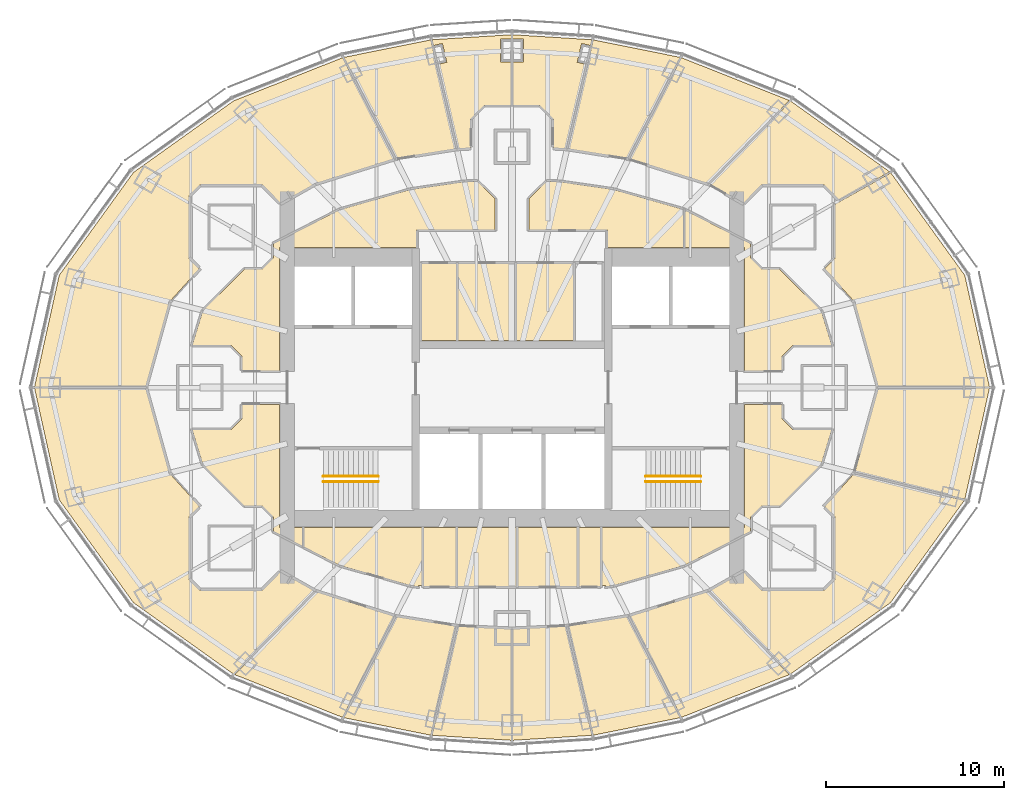
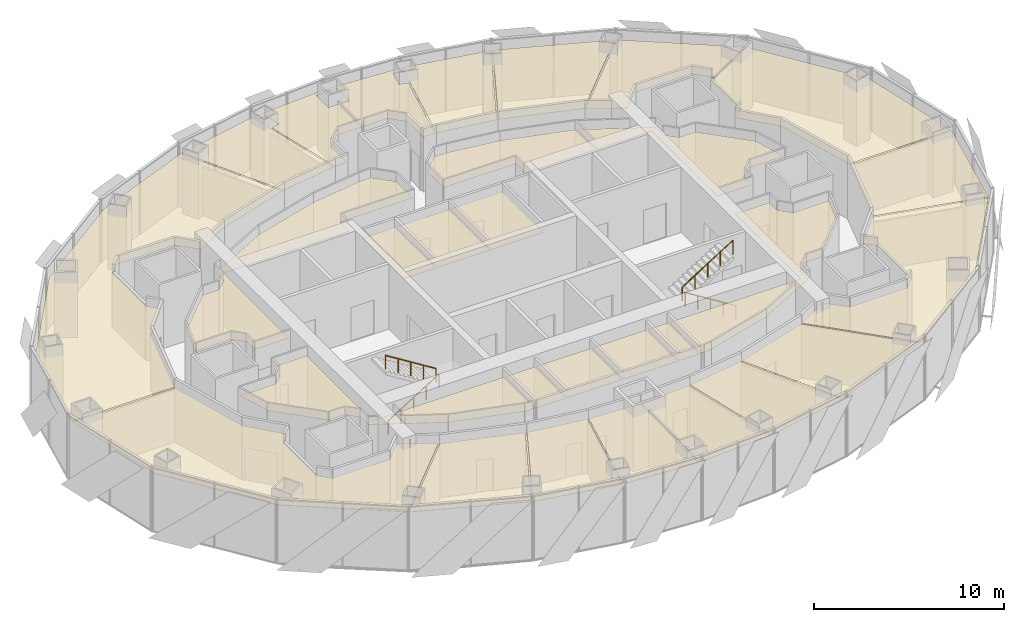
# One storey, part 18 of 18: 30 coverings, 4 railings.
"""IFC4 building model written with IfcOpenShell, lengths in metres."""

from ifc_helpers import new_model, si_unit, direction, frame, origin, origin_2d, place, context, subcontext, project, spatial, polyline, circle, outline, extrude, material, layer, layer_set, type_object, element, save


model = new_model("IFC4")

# Units and contexts
model_context = context("Model", 3, precision=1e-05, world=origin(), true_north=direction((0.0, 1.0)))
body_context = subcontext(model_context, "Body", "Model", "MODEL_VIEW")
ifc_project = project(units=[si_unit("LENGTHUNIT", "METRE"), si_unit("AREAUNIT", "SQUARE_METRE"), si_unit("VOLUMEUNIT", "CUBIC_METRE"), si_unit("PLANEANGLEUNIT", "RADIAN"), si_unit("MASSUNIT", "GRAM", prefix="KILO")], contexts=[model_context])

# Site, building, storey
site_placement = place(None, origin())
site = spatial("IfcSite", under=ifc_project, at=site_placement, CompositionType="ELEMENT")
building_placement = place(site_placement, origin())
building = spatial("IfcBuilding", under=site, at=building_placement, Name="Lantaw Convention Tower", CompositionType="ELEMENT")
storey_placement = place(building_placement, frame((0.0, 0.0, 241.0)))
storey = spatial("IfcBuildingStorey", under=building, at=storey_placement, Name="L56", CompositionType="ELEMENT", Elevation=241.0)

# Railings
ifc_material_1 = material(Name="Stainless steel", Category="steel")
railing_type = type_object("IfcRailingType", Name="Stair handrail", PredefinedType="HANDRAIL", material=ifc_material_1)
railing_1_placement = place(storey_placement, frame((-10.580078125, -5.280029296875, 0.175048828125)))
element("IfcRailing", 1, at=railing_1_placement, inside=storey, type_object=railing_type, Name="Stair handrail S1", PredefinedType="HANDRAIL", context=body_context, shape_type="SweptSolid", body=[
    extrude(circle(Radius=0.02392578125, at=origin_2d()), frame((0.0, 0.0, 0.8759765625), z_axis=(0.847998304005, 0.0, 0.529998940003), x_axis=(0.0, 1.0, 0.0)), (0.0, 0.0, 1.0), 3.632080078125),
    extrude(circle(Radius=0.02099609375, at=origin_2d()), origin(), (0.0, 0.0, 1.0), 0.851806640625),
    extrude(circle(Radius=0.02099609375, at=origin_2d()), frame((0.77001953125, 0.0, 0.481201171875)), (0.0, 0.0, 1.0), 0.851806640625),
    extrude(circle(Radius=0.02099609375, at=origin_2d()), frame((1.5400390625, 0.0, 0.96240234375)), (0.0, 0.0, 1.0), 0.851806640625),
    extrude(circle(Radius=0.02099609375, at=origin_2d()), frame((2.31005859375, 0.0, 1.44384765625)), (0.0, 0.0, 1.0), 0.851806640625),
    extrude(circle(Radius=0.02099609375, at=origin_2d()), frame((3.080078125, 0.0, 1.925048828125)), (0.0, 0.0, 1.0), 0.851806640625),
])
for number, where, name in (
    (2, (-7.5, -4.97998046875, 2.27490234375), "Stair handrail S1"),
    (3, (10.580078125, -5.280029296875, 0.175048828125), "Stair handrail S2"),
):
    element("IfcRailing", number, at=place(storey_placement, frame(where)), inside=storey, type_object=railing_type, Name=name, PredefinedType="HANDRAIL", context=body_context, shape_type="SweptSolid", body=[
        extrude(circle(Radius=0.02392578125, at=origin_2d()), frame((0.0, 0.0, 0.8759765625), z_axis=(-0.847998304005, 0.0, 0.529998940003), x_axis=(0.0, -1.0, 0.0)), (0.0, 0.0, 1.0), 3.632080078125),
        extrude(circle(Radius=0.02099609375, at=origin_2d()), origin(), (0.0, 0.0, 1.0), 0.851806640625),
        extrude(circle(Radius=0.02099609375, at=origin_2d()), frame((-0.77001953125, 0.0, 0.481201171875)), (0.0, 0.0, 1.0), 0.851806640625),
        extrude(circle(Radius=0.02099609375, at=origin_2d()), frame((-1.5400390625, 0.0, 0.96240234375)), (0.0, 0.0, 1.0), 0.851806640625),
        extrude(circle(Radius=0.02099609375, at=origin_2d()), frame((-2.31005859375, 0.0, 1.44384765625)), (0.0, 0.0, 1.0), 0.851806640625),
        extrude(circle(Radius=0.02099609375, at=origin_2d()), frame((-3.080078125, 0.0, 1.925048828125)), (0.0, 0.0, 1.0), 0.851806640625),
    ])
railing_2_placement = place(storey_placement, frame((7.5, -4.97998046875, 2.27490234375)))
element("IfcRailing", 4, at=railing_2_placement, inside=storey, type_object=railing_type, Name="Stair handrail S2", PredefinedType="HANDRAIL", context=body_context, shape_type="SweptSolid", body=[
    extrude(circle(Radius=0.02392578125, at=origin_2d()), frame((0.0, 0.0, 0.8759765625), z_axis=(0.847998304005, 0.0, 0.529998940003), x_axis=(0.0, 1.0, 0.0)), (0.0, 0.0, 1.0), 3.632080078125),
    extrude(circle(Radius=0.02099609375, at=origin_2d()), origin(), (0.0, 0.0, 1.0), 0.851806640625),
    extrude(circle(Radius=0.02099609375, at=origin_2d()), frame((0.77001953125, 0.0, 0.481201171875)), (0.0, 0.0, 1.0), 0.851806640625),
    extrude(circle(Radius=0.02099609375, at=origin_2d()), frame((1.5400390625, 0.0, 0.96240234375)), (0.0, 0.0, 1.0), 0.851806640625),
    extrude(circle(Radius=0.02099609375, at=origin_2d()), frame((2.31005859375, 0.0, 1.44384765625)), (0.0, 0.0, 1.0), 0.851806640625),
    extrude(circle(Radius=0.02099609375, at=origin_2d()), frame((3.080078125, 0.0, 1.925048828125)), (0.0, 0.0, 1.0), 0.851806640625),
])

# Coverings
ifc_material_2 = material(Name="Gypsum board on steel suspension grid", Category="steel")
ifc_layer = layer(ifc_material_2, 0.02001953125)
ifc_layer_set = layer_set([ifc_layer], Name="Suspended ceiling")
covering_type = type_object("IfcCoveringType", Name="Suspended ceiling", PredefinedType="CEILING", material=ifc_layer_set)
covering_1_placement = place(storey_placement, frame((0.0, 0.0, 3.449951171875)))
element("IfcCovering", 5, at=covering_1_placement, inside=storey, type_object=covering_type, Name="Accessible WC ceiling", PredefinedType="CEILING", context=body_context, shape_type="SweptSolid", body=[
    extrude(outline(polyline([(-5.080078125, 2.639892578125), (-3.112060546875, 2.639892578125), (-3.112060546875, 6.9599609375), (-5.080078125, 6.9599609375), (-5.080078125, 2.639892578125)])), origin(), (0.0, 0.0, 1.0), 0.02001953125),
])
covering_2_placement = place(storey_placement, frame((0.0, 0.0, 3.449951171875)))
element("IfcCovering", 6, at=covering_2_placement, inside=storey, type_object=covering_type, Name="Male WC ceiling", PredefinedType="CEILING", context=body_context, shape_type="SweptSolid", body=[
    extrude(outline(polyline([(-3.031982421875, 2.639892578125), (0.164794921875, 2.639892578125), (0.164794921875, 6.9599609375), (-3.031982421875, 6.9599609375), (-3.031982421875, 2.639892578125)])), origin(), (0.0, 0.0, 1.0), 0.02001953125),
])
covering_3_placement = place(storey_placement, frame((0.0, 0.0, 3.449951171875)))
element("IfcCovering", 7, at=covering_3_placement, inside=storey, type_object=covering_type, Name="Female WC ceiling", PredefinedType="CEILING", context=body_context, shape_type="SweptSolid", body=[
    extrude(outline(polyline([(0.244873046875, 2.639892578125), (3.441650390625, 2.639892578125), (3.441650390625, 6.9599609375), (0.244873046875, 6.9599609375), (0.244873046875, 2.639892578125)])), origin(), (0.0, 0.0, 1.0), 0.02001953125),
])
covering_4_placement = place(storey_placement, frame((0.0, 0.0, 3.449951171875)))
element("IfcCovering", 8, at=covering_4_placement, inside=storey, type_object=covering_type, Name="Accessible WC ceiling", PredefinedType="CEILING", context=body_context, shape_type="SweptSolid", body=[
    extrude(outline(polyline([(-4.9599609375, -11.159912109375), (-3.139892578125, -11.159912109375), (-3.139892578125, -7.840087890625), (-4.9599609375, -7.840087890625), (-4.9599609375, -11.159912109375)])), origin(), (0.0, 0.0, 1.0), 0.02001953125),
])
covering_5_placement = place(storey_placement, frame((0.0, 0.0, 3.449951171875)))
element("IfcCovering", 9, at=covering_5_placement, inside=storey, type_object=covering_type, Name="Male WC ceiling", PredefinedType="CEILING", context=body_context, shape_type="SweptSolid", body=[
    extrude(outline(polyline([(-3.06005859375, -11.159912109375), (0.260009765625, -11.159912109375), (0.260009765625, -7.840087890625), (-3.06005859375, -7.840087890625), (-3.06005859375, -11.159912109375)])), origin(), (0.0, 0.0, 1.0), 0.02001953125),
])
covering_6_placement = place(storey_placement, frame((0.0, 0.0, 3.449951171875)))
element("IfcCovering", 10, at=covering_6_placement, inside=storey, type_object=covering_type, Name="Female WC ceiling", PredefinedType="CEILING", context=body_context, shape_type="SweptSolid", body=[
    extrude(outline(polyline([(0.340087890625, -11.159912109375), (3.659912109375, -11.159912109375), (3.659912109375, -7.840087890625), (0.340087890625, -7.840087890625), (0.340087890625, -11.159912109375)])), origin(), (0.0, 0.0, 1.0), 0.02001953125),
])
covering_7_placement = place(storey_placement, frame((0.0, 0.0, 3.449951171875)))
element("IfcCovering", 11, at=covering_7_placement, inside=storey, type_object=covering_type, Name="Pantry ceiling", PredefinedType="CEILING", context=body_context, shape_type="SweptSolid", body=[
    extrude(outline(polyline([(3.739990234375, -11.159912109375), (4.9599609375, -11.159912109375), (4.9599609375, -7.840087890625), (3.739990234375, -7.840087890625), (3.739990234375, -11.159912109375)])), origin(), (0.0, 0.0, 1.0), 0.02001953125),
])
covering_8_placement = place(storey_placement, frame((0.0, 0.0, 3.449951171875)))
element("IfcCovering", 12, at=covering_8_placement, inside=storey, type_object=covering_type, Name="Meeting room ceiling", PredefinedType="CEILING", context=body_context, shape_type="SweptSolid", body=[
    extrude(outline(polyline([(-13.385009765625, -8.062255859375), (-11.75, -8.901611328125), (-11.75, -7.840087890625), (-13.0400390625, -7.840087890625), (-13.0400390625, -0.93994140625), (-15.135009765625, -0.93994140625), (-15.135009765625, -1.7412109375), (-15.7587890625, -2.364990234375), (-17.932861328125, -2.364990234375), (-17.336181640625, -4.31005859375), (-15.008056640625, -6.635009765625), (-14.0087890625, -6.635009765625), (-13.385009765625, -7.2587890625), (-13.385009765625, -8.062255859375)])), origin(), (0.0, 0.0, 1.0), 0.02001953125),
])
covering_9_placement = place(storey_placement, frame((0.0, 0.0, 3.449951171875)))
element("IfcCovering", 13, at=covering_9_placement, inside=storey, type_object=covering_type, Name="Project room ceiling", PredefinedType="CEILING", context=body_context, shape_type="SweptSolid", body=[
    extrude(outline(polyline([(-5.0400390625, -7.840087890625), (-11.669921875, -7.840087890625), (-11.669921875, -8.942626953125), (-9.65576171875, -9.9765625), (-5.67138671875, -11.108154296875), (-5.239990234375, -11.170166015625), (-5.239990234375, -11.110107421875), (-5.0400390625, -11.110107421875), (-5.0400390625, -7.840087890625)])), origin(), (0.0, 0.0, 1.0), 0.02001953125),
])
covering_10_placement = place(storey_placement, frame((0.0, 0.0, 3.449951171875)))
element("IfcCovering", 14, at=covering_10_placement, inside=storey, type_object=covering_type, Name="Tenant storage room ceiling", PredefinedType="CEILING", context=body_context, shape_type="SweptSolid", body=[
    extrude(outline(polyline([(13.0400390625, -0.93994140625), (13.0400390625, -7.840087890625), (5.0400390625, -7.840087890625), (5.0400390625, -11.110107421875), (5.239990234375, -11.110107421875), (5.239990234375, -11.170166015625), (5.67138671875, -11.108154296875), (9.65576171875, -9.9765625), (13.385009765625, -8.062255859375), (13.385009765625, -7.2587890625), (14.0087890625, -6.635009765625), (15.008056640625, -6.635009765625), (17.336181640625, -4.31005859375), (17.932861328125, -2.364990234375), (15.7587890625, -2.364990234375), (15.135009765625, -1.7412109375), (15.135009765625, -0.93994140625), (13.0400390625, -0.93994140625)])), origin(), (0.0, 0.0, 1.0), 0.02001953125),
])
covering_11_placement = place(storey_placement, frame((0.0, 0.0, 3.449951171875)))
element("IfcCovering", 15, at=covering_11_placement, inside=storey, type_object=covering_type, Name="Meeting room ceiling", PredefinedType="CEILING", context=body_context, shape_type="SweptSolid", body=[
    extrude(outline(polyline([(0.93994140625, 8.840087890625), (5.360107421875, 8.840087890625), (5.360107421875, 7.840087890625), (9.6201171875, 7.840087890625), (9.6201171875, 9.98681640625), (5.67138671875, 11.108154296875), (2.669677734375, 11.5400390625), (1.9462890625, 11.572509765625), (1.548828125, 11.175048828125), (1.53662109375, 11.175048828125), (0.93994140625, 10.577392578125), (0.93994140625, 8.840087890625)])), origin(), (0.0, 0.0, 1.0), 0.02001953125),
])
covering_12_placement = place(storey_placement, frame((0.0, 0.0, 3.449951171875)))
element("IfcCovering", 16, at=covering_12_placement, inside=storey, type_object=covering_type, Name="Copy and print room ceiling", PredefinedType="CEILING", context=body_context, shape_type="SweptSolid", body=[
    extrude(outline(polyline([(13.385009765625, 8.06201171875), (9.699951171875, 9.95166015625), (9.699951171875, 7.840087890625), (13.0400390625, 7.840087890625), (13.0400390625, 0.93994140625), (15.135009765625, 0.93994140625), (15.135009765625, 1.7412109375), (15.7587890625, 2.364990234375), (17.932861328125, 2.364990234375), (17.336181640625, 4.31005859375), (15.008056640625, 6.635009765625), (14.0087890625, 6.635009765625), (13.385009765625, 7.2587890625), (13.385009765625, 8.06201171875)])), origin(), (0.0, 0.0, 1.0), 0.02001953125),
])
covering_13_placement = place(storey_placement, frame((0.0, 0.0, 3.449951171875)))
element("IfcCovering", 17, at=covering_13_placement, inside=storey, type_object=covering_type, Name="Project room ceiling", PredefinedType="CEILING", context=body_context, shape_type="SweptSolid", body=[
    extrude(outline(polyline([(-15.7587890625, 2.364990234375), (-15.135009765625, 1.7412109375), (-15.135009765625, 0.93994140625), (-13.0400390625, 0.93994140625), (-13.0400390625, 7.840087890625), (-5.360107421875, 7.840087890625), (-5.360107421875, 8.840087890625), (-0.93994140625, 8.840087890625), (-0.93994140625, 10.577392578125), (-1.53662109375, 11.175048828125), (-1.548828125, 11.175048828125), (-1.9462890625, 11.572509765625), (-2.669677734375, 11.5400390625), (-5.67138671875, 11.108154296875), (-9.65576171875, 9.9765625), (-13.385009765625, 8.062255859375), (-13.385009765625, 7.2587890625), (-14.0087890625, 6.635009765625), (-15.008056640625, 6.635009765625), (-17.336181640625, 4.31005859375), (-17.932861328125, 2.364990234375), (-15.7587890625, 2.364990234375)])), origin(), (0.0, 0.0, 1.0), 0.02001953125),
])
covering_14_placement = place(storey_placement, frame((0.0, 0.0, 3.449951171875)))
element("IfcCovering", 18, at=covering_14_placement, inside=storey, type_object=covering_type, Name="Reception ceiling", PredefinedType="CEILING", context=body_context, shape_type="SweptSolid", body=[
    extrude(outline(polyline([(17.518798828125, 6.66259765625), (19.2080078125, 4.800048828125), (20.530517578125, 0.0400390625), (26.77099609375, 0.0400390625), (25.388916015625, 6.290283203125), (21.241455078125, 12.0380859375), (18.114990234375, 10.28076171875), (18.114990234375, 7.2587890625), (17.518798828125, 6.66259765625)])), origin(), (0.0, 0.0, 1.0), 0.02001953125),
])
covering_15_placement = place(storey_placement, frame((0.0, 0.0, 3.449951171875)))
element("IfcCovering", 19, at=covering_15_placement, inside=storey, type_object=covering_type, Name="Private office ceiling", PredefinedType="CEILING", context=body_context, shape_type="SweptSolid", body=[
    extrude(outline(polyline([(13.385009765625, 10.72900390625), (13.385009765625, 10.7412109375), (14.0087890625, 11.364990234375), (17.4912109375, 11.364990234375), (18.114990234375, 10.7412109375), (18.114990234375, 10.72900390625), (18.34375, 10.501220703125), (21.178466796875, 12.094482421875), (15.62890625, 16.059326171875), (11.065673828125, 11.400634765625), (12.973388671875, 10.318115234375), (13.385009765625, 10.72900390625)])), origin(), (0.0, 0.0, 1.0), 0.02001953125),
])
covering_16_placement = place(storey_placement, frame((0.0, 0.0, 3.449951171875)))
element("IfcCovering", 20, at=covering_16_placement, inside=storey, type_object=covering_type, Name="Private office ceiling", PredefinedType="CEILING", context=body_context, shape_type="SweptSolid", body=[
    extrude(outline(polyline([(10.9892578125, 11.43701171875), (15.553466796875, 16.096923828125), (9.503173828125, 18.49267578125), (6.57861328125, 12.82275390625), (10.9892578125, 11.43701171875)])), origin(), (0.0, 0.0, 1.0), 0.02001953125),
])
covering_17_placement = place(storey_placement, frame((0.0, 0.0, 3.449951171875)))
element("IfcCovering", 21, at=covering_17_placement, inside=storey, type_object=covering_type, Name="Private office ceiling", PredefinedType="CEILING", context=body_context, shape_type="SweptSolid", body=[
    extrude(outline(polyline([(6.4990234375, 12.8427734375), (9.42431640625, 18.514404296875), (4.55859375, 19.492919921875), (3.130126953125, 13.37939453125), (6.4990234375, 12.8427734375)])), origin(), (0.0, 0.0, 1.0), 0.02001953125),
])
covering_18_placement = place(storey_placement, frame((0.0, 0.0, 3.449951171875)))
element("IfcCovering", 22, at=covering_18_placement, inside=storey, type_object=covering_type, Name="Private office ceiling", PredefinedType="CEILING", context=body_context, shape_type="SweptSolid", body=[
    extrude(outline(polyline([(2.324951171875, 15.048828125), (2.324951171875, 13.42431640625), (3.050048828125, 13.38818359375), (4.156005859375, 18.121826171875), (3.65625, 18.2373046875), (3.899169921875, 19.28955078125), (4.40185546875, 19.173583984375), (4.478759765625, 19.5029296875), (0.0400390625, 19.781982421875), (0.0400390625, 19.5400390625), (0.639892578125, 19.5400390625), (0.639892578125, 18.260009765625), (0.0400390625, 18.260009765625), (0.0400390625, 15.824951171875), (1.548828125, 15.824951171875), (2.324951171875, 15.048828125)])), origin(), (0.0, 0.0, 1.0), 0.02001953125),
])
covering_19_placement = place(storey_placement, frame((0.0, 0.0, 3.449951171875)))
element("IfcCovering", 23, at=covering_19_placement, inside=storey, type_object=covering_type, Name="Private office ceiling", PredefinedType="CEILING", context=body_context, shape_type="SweptSolid", body=[
    extrude(outline(polyline([(-4.156005859375, 18.121826171875), (-3.050048828125, 13.38818359375), (-2.324951171875, 13.42431640625), (-2.324951171875, 15.048828125), (-1.548828125, 15.824951171875), (-0.0400390625, 15.824951171875), (-0.0400390625, 18.260009765625), (-0.639892578125, 18.260009765625), (-0.639892578125, 19.5400390625), (-0.0400390625, 19.5400390625), (-0.0400390625, 19.781982421875), (-4.478759765625, 19.5029296875), (-4.40185546875, 19.173583984375), (-3.899169921875, 19.28955078125), (-3.65625, 18.2373046875), (-4.156005859375, 18.121826171875)])), origin(), (0.0, 0.0, 1.0), 0.02001953125),
])
covering_20_placement = place(storey_placement, frame((0.0, 0.0, 3.449951171875)))
element("IfcCovering", 24, at=covering_20_placement, inside=storey, type_object=covering_type, Name="Private office ceiling", PredefinedType="CEILING", context=body_context, shape_type="SweptSolid", body=[
    extrude(outline(polyline([(-3.130126953125, 13.37939453125), (-4.55859375, 19.492919921875), (-9.42431640625, 18.514404296875), (-6.4990234375, 12.8427734375), (-3.130126953125, 13.37939453125)])), origin(), (0.0, 0.0, 1.0), 0.02001953125),
])
covering_21_placement = place(storey_placement, frame((0.0, 0.0, 3.449951171875)))
element("IfcCovering", 25, at=covering_21_placement, inside=storey, type_object=covering_type, Name="Open office ceiling", PredefinedType="CEILING", context=body_context, shape_type="SweptSolid", body=[
    extrude(outline(polyline([(-17.518798828125, 6.66259765625), (-18.114990234375, 7.2587890625), (-18.114990234375, 10.7412109375), (-17.4912109375, 11.364990234375), (-14.0087890625, 11.364990234375), (-13.385009765625, 10.7412109375), (-13.385009765625, 10.72900390625), (-12.973388671875, 10.318115234375), (-11.016845703125, 11.428466796875), (-6.57861328125, 12.82275390625), (-9.503173828125, 18.49267578125), (-15.60498046875, 16.076416015625), (-21.224365234375, 12.061767578125), (-25.388916015625, 6.290283203125), (-26.77099609375, 0.0400390625), (-20.530517578125, 0.0400390625), (-19.2080078125, 4.800048828125), (-17.518798828125, 6.66259765625)])), origin(), (0.0, 0.0, 1.0), 0.02001953125),
])
covering_22_placement = place(storey_placement, frame((0.0, 0.0, 3.449951171875)))
element("IfcCovering", 26, at=covering_22_placement, inside=storey, type_object=covering_type, Name="Boardroom ceiling", PredefinedType="CEILING", context=body_context, shape_type="SweptSolid", body=[
    extrude(outline(polyline([(-17.518798828125, -6.66259765625), (-19.2080078125, -4.800048828125), (-20.530517578125, -0.0400390625), (-26.77099609375, -0.0400390625), (-25.388916015625, -6.290283203125), (-21.224365234375, -12.061767578125), (-15.62890625, -16.059326171875), (-11.065673828125, -11.400634765625), (-12.973388671875, -10.318115234375), (-13.385009765625, -10.72900390625), (-13.385009765625, -10.7412109375), (-14.0087890625, -11.364990234375), (-17.4912109375, -11.364990234375), (-18.114990234375, -10.7412109375), (-18.114990234375, -7.2587890625), (-17.518798828125, -6.66259765625)])), origin(), (0.0, 0.0, 1.0), 0.02001953125),
])
covering_23_placement = place(storey_placement, frame((0.0, 0.0, 3.449951171875)))
element("IfcCovering", 27, at=covering_23_placement, inside=storey, type_object=covering_type, Name="Private office ceiling", PredefinedType="CEILING", context=body_context, shape_type="SweptSolid", body=[
    extrude(outline(polyline([(-10.9892578125, -11.43701171875), (-15.553466796875, -16.096923828125), (-9.503173828125, -18.49267578125), (-6.57861328125, -12.82275390625), (-10.9892578125, -11.43701171875)])), origin(), (0.0, 0.0, 1.0), 0.02001953125),
])
covering_24_placement = place(storey_placement, frame((0.0, 0.0, 3.449951171875)))
element("IfcCovering", 28, at=covering_24_placement, inside=storey, type_object=covering_type, Name="Private office ceiling", PredefinedType="CEILING", context=body_context, shape_type="SweptSolid", body=[
    extrude(outline(polyline([(-6.4990234375, -12.8427734375), (-9.42431640625, -18.514404296875), (-4.55859375, -19.492919921875), (-3.130126953125, -13.37939453125), (-6.4990234375, -12.8427734375)])), origin(), (0.0, 0.0, 1.0), 0.02001953125),
])
covering_25_placement = place(storey_placement, frame((0.0, 0.0, 3.449951171875)))
element("IfcCovering", 29, at=covering_25_placement, inside=storey, type_object=covering_type, Name="Private office ceiling", PredefinedType="CEILING", context=body_context, shape_type="SweptSolid", body=[
    extrude(outline(polyline([(-3.050048828125, -13.38818359375), (-4.478759765625, -19.5029296875), (-0.0400390625, -19.781982421875), (-0.0400390625, -13.5380859375), (-3.050048828125, -13.38818359375)])), origin(), (0.0, 0.0, 1.0), 0.02001953125),
])
covering_26_placement = place(storey_placement, frame((0.0, 0.0, 3.449951171875)))
element("IfcCovering", 30, at=covering_26_placement, inside=storey, type_object=covering_type, Name="Private office ceiling", PredefinedType="CEILING", context=body_context, shape_type="SweptSolid", body=[
    extrude(outline(polyline([(0.0400390625, -13.5380859375), (0.0400390625, -19.781982421875), (4.478759765625, -19.5029296875), (3.050048828125, -13.38818359375), (0.0400390625, -13.5380859375)])), origin(), (0.0, 0.0, 1.0), 0.02001953125),
])
covering_27_placement = place(storey_placement, frame((0.0, 0.0, 3.449951171875)))
element("IfcCovering", 31, at=covering_27_placement, inside=storey, type_object=covering_type, Name="Private office ceiling", PredefinedType="CEILING", context=body_context, shape_type="SweptSolid", body=[
    extrude(outline(polyline([(3.130126953125, -13.37939453125), (4.55859375, -19.492919921875), (9.42431640625, -18.514404296875), (6.4990234375, -12.8427734375), (3.130126953125, -13.37939453125)])), origin(), (0.0, 0.0, 1.0), 0.02001953125),
])
covering_28_placement = place(storey_placement, frame((0.0, 0.0, 3.449951171875)))
element("IfcCovering", 32, at=covering_28_placement, inside=storey, type_object=covering_type, Name="Private office ceiling", PredefinedType="CEILING", context=body_context, shape_type="SweptSolid", body=[
    extrude(outline(polyline([(6.57861328125, -12.82275390625), (9.503173828125, -18.49267578125), (15.553466796875, -16.096923828125), (10.9892578125, -11.43701171875), (6.57861328125, -12.82275390625)])), origin(), (0.0, 0.0, 1.0), 0.02001953125),
])
covering_29_placement = place(storey_placement, frame((0.0, 0.0, 3.449951171875)))
element("IfcCovering", 33, at=covering_29_placement, inside=storey, type_object=covering_type, Name="Open office ceiling", PredefinedType="CEILING", context=body_context, shape_type="SweptSolid", body=[
    extrude(outline(polyline([(13.385009765625, -10.7412109375), (13.385009765625, -10.72900390625), (12.973388671875, -10.318115234375), (11.065673828125, -11.400634765625), (15.62890625, -16.059326171875), (21.224365234375, -12.061767578125), (25.359130859375, -6.331787109375), (19.185546875, -4.82470703125), (17.518798828125, -6.66259765625), (18.114990234375, -7.2587890625), (18.114990234375, -10.7412109375), (17.4912109375, -11.364990234375), (14.0087890625, -11.364990234375), (13.385009765625, -10.7412109375)])), origin(), (0.0, 0.0, 1.0), 0.02001953125),
])
covering_30_placement = place(storey_placement, frame((0.0, 0.0, 3.449951171875)))
element("IfcCovering", 34, at=covering_30_placement, inside=storey, type_object=covering_type, Name="Pantry ceiling", PredefinedType="CEILING", context=body_context, shape_type="SweptSolid", body=[
    extrude(outline(polyline([(19.221435546875, -4.7509765625), (25.39599609375, -6.258544921875), (26.77099609375, -0.0400390625), (20.530517578125, -0.0400390625), (19.221435546875, -4.7509765625)])), origin(), (0.0, 0.0, 1.0), 0.02001953125),
])

save(model, "model.ifc")
